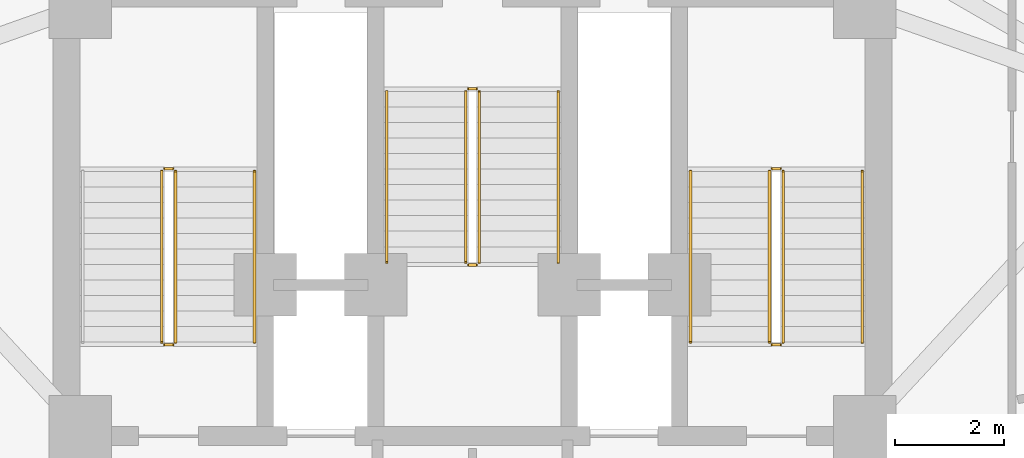
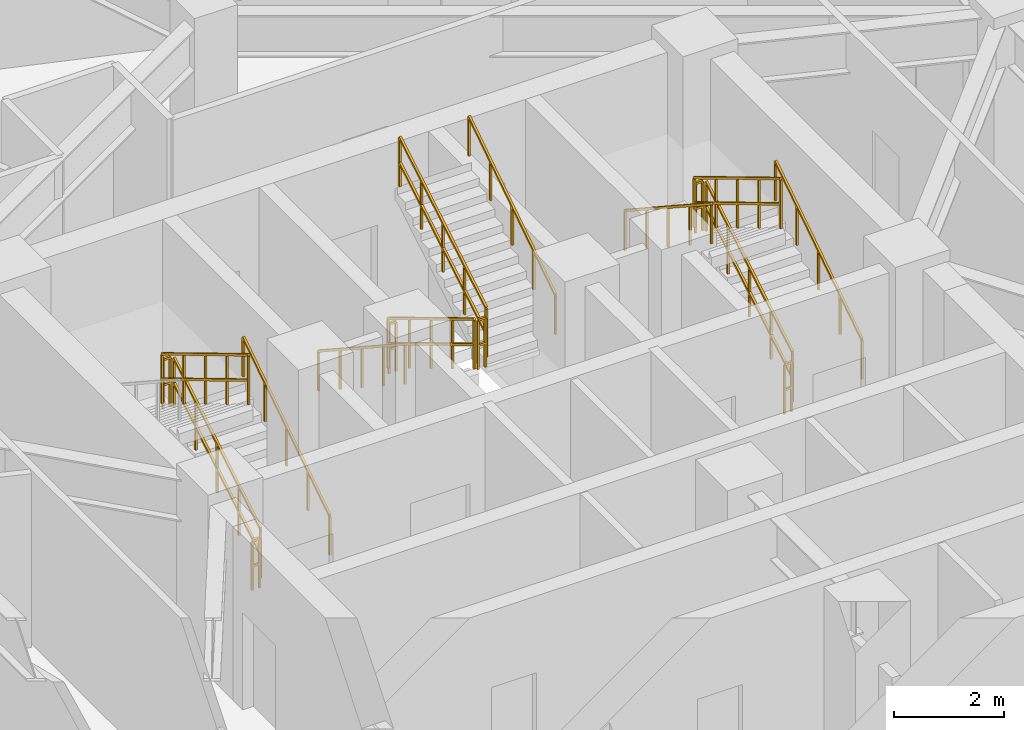
# One storey, part 11 of 12: 17 railings.
"""IFC4 building model written with IfcOpenShell, lengths in metres."""

import ifcopenshell
import ifcopenshell.guid

model = None  # the IFC model being written
_history = None  # IfcOwnerHistory: only IFC2X3 demands one
_inside = {}  # id of a spatial element -> (the spatial element, [elements in it])
_under = {}  # id of a project, library or spatial element -> (it, [spatial elements below it])
_declared = {}  # id of a project -> (the project, [libraries it declares])
_typed = {}  # id of a type object -> (the type object, [elements of that type])
_made_of = {}  # id of a material, layer set ... -> (it, [elements and type objects made of it])


def new_model(schema):
    """Start an empty IFC model of exactly this schema.

    Asked for "IFC4X3", IfcOpenShell would pick the latest addendum, in which some entities
    have other attributes; the version numbers below select the first issue.
    IFC2X3 requires an IfcOwnerHistory on every rooted entity: one is made here for all.
    """
    global model, _history
    if schema == "IFC4X3":
        model = ifcopenshell.file(schema_version=(4, 3, 0, 0))
    else:
        model = ifcopenshell.file(schema=schema)
    _inside.clear()
    _under.clear()
    _declared.clear()
    _typed.clear()
    _made_of.clear()
    _history = None
    if model.schema == "IFC2X3":
        org = make("IfcOrganization", Name="unknown")
        user = make(
            "IfcPersonAndOrganization",
            ThePerson=make("IfcPerson", FamilyName="unknown"),
            TheOrganization=org,
        )
        app = make(
            "IfcApplication",
            ApplicationDeveloper=org,
            Version="unknown",
            ApplicationFullName="unknown",
            ApplicationIdentifier="unknown",
        )
        _history = make(
            "IfcOwnerHistory",
            OwningUser=user,
            OwningApplication=app,
            ChangeAction="ADDED",
            CreationDate=0,
        )
    return model


def make(cls, **values):
    """One entity of the class cls with the attributes given. An attribute that is None is left unset."""
    return model.create_entity(
        cls, **{name: value for name, value in values.items() if value is not None}
    )


def rooted(cls, **values):
    """An entity with a GlobalId (a new one), such as an element, a storey or a relation."""
    return make(cls, GlobalId=ifcopenshell.guid.new(), OwnerHistory=_history, **values)


def si_unit(unit_type, name, prefix=None):
    """IfcSIUnit, for example si_unit("LENGTHUNIT", "METRE", prefix="MILLI")."""
    return make("IfcSIUnit", UnitType=unit_type, Prefix=prefix, Name=name)


def assignment(units):
    """IfcUnitAssignment: the units of a project."""
    return None if units is None else make("IfcUnitAssignment", Units=units)


def point(xyz):
    """IfcCartesianPoint."""
    return None if xyz is None else make("IfcCartesianPoint", Coordinates=xyz)


def direction(xyz):
    """IfcDirection."""
    return None if xyz is None else make("IfcDirection", DirectionRatios=xyz)


def frame(location, z_axis=None, x_axis=None):
    """IfcAxis2Placement3D, a coordinate frame: its origin and axes. An axis left out is left unset."""
    return make(
        "IfcAxis2Placement3D",
        Location=point(location),
        Axis=direction(z_axis),
        RefDirection=direction(x_axis),
    )


def frame_2d(location, x_axis=None):
    """IfcAxis2Placement2D, a coordinate frame in the plane: its origin and x axis."""
    return make(
        "IfcAxis2Placement2D", Location=point(location), RefDirection=direction(x_axis)
    )


def origin():
    """The frame at (0, 0, 0) with its axes left unset."""
    return frame((0.0, 0.0, 0.0))


def origin_2d():
    """The frame at (0, 0) in the plane with its x axis left unset."""
    return frame_2d((0.0, 0.0))


def place(relative_to, where):
    """IfcLocalPlacement: puts the frame where relative to a parent placement (None: the world)."""
    return make(
        "IfcLocalPlacement", PlacementRelTo=relative_to, RelativePlacement=where
    )


def context(
    kind, dimensions, precision=None, world=None, true_north=None, identifier=None
):
    """IfcGeometricRepresentationContext, for example the 3D "Model" context."""
    return make(
        "IfcGeometricRepresentationContext",
        ContextIdentifier=identifier,
        ContextType=kind,
        CoordinateSpaceDimension=dimensions,
        Precision=precision,
        WorldCoordinateSystem=world,
        TrueNorth=true_north,
    )


def subcontext(parent, identifier, kind, view, scale=None):
    """IfcGeometricRepresentationSubContext, for example "Body" below "Model"."""
    return make(
        "IfcGeometricRepresentationSubContext",
        ContextIdentifier=identifier,
        ContextType=kind,
        ParentContext=parent,
        TargetScale=scale,
        TargetView=view,
    )


def project(units=None, contexts=None):
    """IfcProject with its units and contexts."""
    return rooted(
        "IfcProject",
        Name="project",
        RepresentationContexts=contexts,
        UnitsInContext=assignment(units),
    )


def spatial(cls, under=None, at=None, **own):
    """A site, building, storey or space (cls), placed at a placement, below another one or the project."""
    s = rooted(cls, ObjectPlacement=at, **own)
    if under is not None:
        _under.setdefault(under.id(), (under, []))[1].append(s)
    return s


def profile(cls, at=None, kind="AREA", **sizes):
    """A parametric profile (cls). Its sizes go by their IFC names, for example OverallWidth=200.0."""
    return make(cls, ProfileType=kind, Position=at, **sizes)


def rectangle(**sizes):
    """IfcRectangleProfileDef."""
    return profile("IfcRectangleProfileDef", **sizes)


def extrude(swept, where, along, depth):
    """IfcExtrudedAreaSolid: the profile swept, set in the frame where, extruded along a direction by depth."""
    return make(
        "IfcExtrudedAreaSolid",
        SweptArea=swept,
        Position=where,
        ExtrudedDirection=direction(along),
        Depth=depth,
    )


def shape(context_of_items, identifier, shape_type, items):
    """IfcShapeRepresentation: the items that make up one representation, for example the "Body"."""
    return make(
        "IfcShapeRepresentation",
        ContextOfItems=context_of_items,
        RepresentationIdentifier=identifier,
        RepresentationType=shape_type,
        Items=items,
    )


def material(Name=None, Category=None):
    """IfcMaterial."""
    return make("IfcMaterial", Name=Name, Category=Category)


def made_of(thing, what):
    """Note that an element or type object is made of a material, layer set ...; save() writes the relation."""
    if what is not None:
        _made_of.setdefault(what.id(), (what, []))[1].append(thing)
    return thing


def type_object(cls, material=None, **own):
    """A type object (cls), such as IfcWallType, which elements share."""
    return made_of(rooted(cls, **own), material)


def element(
    cls,
    number,
    at=None,
    inside=None,
    cuts=None,
    type_object=None,
    material=None,
    context=None,
    identifier="Body",
    shape_type=None,
    held_by="IfcProductDefinitionShape",
    body=None,
    shapes=None,
    **own,
):
    """One element of the class cls, such as IfcWall. Its Tag is "e" and its number.

    at: its placement. inside: the storey or other place that contains it. cuts: it is an
    opening in that element (IfcRelVoidsElement). A single representation is given by context,
    identifier, shape_type and body (its items); several are given by shapes. held_by: the class
    of the entity that holds the representations. save() writes the other relations.
    """
    e = rooted(cls, Tag="e%d" % number, ObjectPlacement=at, **own)
    if body is not None:
        shapes = [shape(context, identifier, shape_type, body)]
    if shapes is not None:
        e.Representation = make(held_by, Representations=shapes)
    if inside is not None:
        _inside.setdefault(inside.id(), (inside, []))[1].append(e)
    if cuts is not None:
        rooted(
            "IfcRelVoidsElement", RelatingBuildingElement=cuts, RelatedOpeningElement=e
        )
    if type_object is not None:
        _typed.setdefault(type_object.id(), (type_object, []))[1].append(e)
    return made_of(e, material)


def aggregate(whole, parts):
    """IfcRelAggregates: a whole, such as a stair, and the parts it consists of."""
    return rooted("IfcRelAggregates", RelatingObject=whole, RelatedObjects=parts)


def save(model, path):
    """Write the relations noted so far, then the file.

    IfcRelAggregates (storeys below a building ...), IfcRelContainedInSpatialStructure (elements
    in a storey), IfcRelDefinesByType, IfcRelAssociatesMaterial and IfcRelDeclares: one each for
    every whole, place, type object, material and project.
    """
    for whole, parts in _under.values():
        aggregate(whole, parts)
    for where, things in _inside.values():
        rooted(
            "IfcRelContainedInSpatialStructure",
            RelatedElements=things,
            RelatingStructure=where,
        )
    for kind, things in _typed.values():
        rooted("IfcRelDefinesByType", RelatedObjects=things, RelatingType=kind)
    for what, things in _made_of.values():
        rooted("IfcRelAssociatesMaterial", RelatedObjects=things, RelatingMaterial=what)
    for by, libraries in _declared.values():
        rooted("IfcRelDeclares", RelatingContext=by, RelatedDefinitions=libraries)
    model.write(path)


model = new_model("IFC4")

# Units and contexts
model_context = context("Model", 3, precision=1e-05, world=origin(), true_north=direction((0.0, 1.0)))
body_context = subcontext(model_context, "Body", "Model", "MODEL_VIEW")
ifc_project = project(units=[si_unit("LENGTHUNIT", "METRE"), si_unit("AREAUNIT", "SQUARE_METRE"), si_unit("VOLUMEUNIT", "CUBIC_METRE"), si_unit("PLANEANGLEUNIT", "RADIAN"), si_unit("MASSUNIT", "GRAM", prefix="KILO")], contexts=[model_context])

# Site, building, storey
site_placement = place(None, origin())
site = spatial("IfcSite", under=ifc_project, at=site_placement, CompositionType="ELEMENT")
building_placement = place(site_placement, origin())
building = spatial("IfcBuilding", under=site, at=building_placement, Name="Apsidion Concourse Tower", CompositionType="ELEMENT")
storey_placement = place(building_placement, frame((0.0, 0.0, 240.39990234375)))
storey = spatial("IfcBuildingStorey", under=building, at=storey_placement, Name="L56", CompositionType="ELEMENT", Elevation=240.39990234375)

# Railings
ifc_material = material(Name="Brushed stainless steel 316", Category="steel")
railing_type_1 = type_object("IfcRailingType", Name="RL-GUARD-1100", PredefinedType="GUARDRAIL", material=ifc_material)
railing_1_placement = place(storey_placement, frame((-5.449951171875, 3.0, 0.1708984375)))
element("IfcRailing", 1, at=railing_1_placement, inside=storey, type_object=railing_type_1, Name="L56 ST1 stair guard 1", PredefinedType="GUARDRAIL", context=body_context, shape_type="SweptSolid", body=[
    extrude(rectangle(XDim=0.048095703125, YDim=0.048095703125, at=origin_2d()), frame((0.0, 0.0, 1.09619140625), z_axis=(0.0, 0.857716804754, 0.514122439544), x_axis=(-1.0, 0.0, 0.0)), (0.0, 0.0, 1.0), 3.655029296875),
    extrude(rectangle(XDim=0.048095703125, YDim=0.048095703125, at=origin_2d()), frame((0.0, 0.0, 0.5361328125), z_axis=(0.0, 0.857716804754, 0.514122439544), x_axis=(-1.0, 0.0, 0.0)), (0.0, 0.0, 1.0), 3.655029296875),
    extrude(rectangle(XDim=0.0419921875, YDim=0.0419921875, at=origin_2d()), origin(), (0.0, 0.0, 1.0), 1.072021484375),
    extrude(rectangle(XDim=0.0419921875, YDim=0.0419921875, at=origin_2d()), frame((0.0, 0.78369140625, 0.4697265625)), (0.0, 0.0, 1.0), 1.072021484375),
    extrude(rectangle(XDim=0.0419921875, YDim=0.0419921875, at=origin_2d()), frame((0.0, 1.5673828125, 0.939453125)), (0.0, 0.0, 1.0), 1.072021484375),
    extrude(rectangle(XDim=0.0419921875, YDim=0.0419921875, at=origin_2d()), frame((0.0, 2.351318359375, 1.409423828125)), (0.0, 0.0, 1.0), 1.072021484375),
    extrude(rectangle(XDim=0.0419921875, YDim=0.0419921875, at=origin_2d()), frame((0.0, 3.135009765625, 1.879150390625)), (0.0, 0.0, 1.0), 1.072021484375),
])
railing_2_placement = place(storey_placement, frame((-5.5, 6.18505859375, 2.050048828125)))
element("IfcRailing", 2, at=railing_2_placement, inside=storey, type_object=railing_type_1, Name="L56 ST1 stair guard 2", PredefinedType="GUARDRAIL", context=body_context, shape_type="SweptSolid", body=[
    extrude(rectangle(XDim=0.048095703125, YDim=0.048095703125, at=origin_2d()), frame((0.0, 0.0, 1.09619140625), z_axis=(-1.0, 0.0, 0.0), x_axis=(0.0, -1.0, 0.0)), (0.0, 0.0, 1.0), 0.14990234375),
    extrude(rectangle(XDim=0.048095703125, YDim=0.048095703125, at=origin_2d()), frame((0.0, 0.0, 0.5361328125), z_axis=(-1.0, 0.0, 0.0), x_axis=(0.0, -1.0, 0.0)), (0.0, 0.0, 1.0), 0.14990234375),
    extrude(rectangle(XDim=0.0419921875, YDim=0.0419921875, at=origin_2d()), origin(), (0.0, 0.0, 1.0), 1.072021484375),
    extrude(rectangle(XDim=0.0419921875, YDim=0.0419921875, at=origin_2d()), frame((-0.14990234375, 0.0, 0.0)), (0.0, 0.0, 1.0), 1.072021484375),
])
railing_3_placement = place(storey_placement, frame((-5.699951171875, 6.135009765625, 2.220947265625)))
element("IfcRailing", 3, at=railing_3_placement, inside=storey, type_object=railing_type_1, Name="L56 ST1 stair guard 3", PredefinedType="GUARDRAIL", context=body_context, shape_type="SweptSolid", body=[
    extrude(rectangle(XDim=0.048095703125, YDim=0.048095703125, at=origin_2d()), frame((0.0, 0.0, 1.09619140625), z_axis=(0.0, -0.857716804754, 0.514122439544), x_axis=(1.0, 0.0, 0.0)), (0.0, 0.0, 1.0), 3.655029296875),
    extrude(rectangle(XDim=0.048095703125, YDim=0.048095703125, at=origin_2d()), frame((0.0, 0.0, 0.5361328125), z_axis=(0.0, -0.857716804754, 0.514122439544), x_axis=(1.0, 0.0, 0.0)), (0.0, 0.0, 1.0), 3.655029296875),
    extrude(rectangle(XDim=0.0419921875, YDim=0.0419921875, at=origin_2d()), origin(), (0.0, 0.0, 1.0), 1.072021484375),
    extrude(rectangle(XDim=0.0419921875, YDim=0.0419921875, at=origin_2d()), frame((0.0, -0.78369140625, 0.4697265625)), (0.0, 0.0, 1.0), 1.072021484375),
    extrude(rectangle(XDim=0.0419921875, YDim=0.0419921875, at=origin_2d()), frame((0.0, -1.5673828125, 0.939453125)), (0.0, 0.0, 1.0), 1.072021484375),
    extrude(rectangle(XDim=0.0419921875, YDim=0.0419921875, at=origin_2d()), frame((0.0, -2.351318359375, 1.409423828125)), (0.0, 0.0, 1.0), 1.072021484375),
    extrude(rectangle(XDim=0.0419921875, YDim=0.0419921875, at=origin_2d()), frame((0.0, -3.135009765625, 1.879150390625)), (0.0, 0.0, 1.0), 1.072021484375),
])
railing_4_placement = place(storey_placement, frame((-5.5, 2.949951171875, 0.0)))
element("IfcRailing", 4, at=railing_4_placement, inside=storey, type_object=railing_type_1, Name="L56 ST1 stair guard 4", PredefinedType="GUARDRAIL", context=body_context, shape_type="SweptSolid", body=[
    extrude(rectangle(XDim=0.048095703125, YDim=0.048095703125, at=origin_2d()), frame((0.0, 0.0, 1.09619140625), z_axis=(-1.0, 0.0, 0.0), x_axis=(0.0, -1.0, 0.0)), (0.0, 0.0, 1.0), 0.14990234375),
    extrude(rectangle(XDim=0.048095703125, YDim=0.048095703125, at=origin_2d()), frame((0.0, 0.0, 0.5361328125), z_axis=(-1.0, 0.0, 0.0), x_axis=(0.0, -1.0, 0.0)), (0.0, 0.0, 1.0), 0.14990234375),
    extrude(rectangle(XDim=0.0419921875, YDim=0.0419921875, at=origin_2d()), origin(), (0.0, 0.0, 1.0), 1.072021484375),
    extrude(rectangle(XDim=0.0419921875, YDim=0.0419921875, at=origin_2d()), frame((-0.14990234375, 0.0, 0.0)), (0.0, 0.0, 1.0), 1.072021484375),
])
railing_5_placement = place(storey_placement, frame((5.699951171875, 3.0, 0.1708984375)))
element("IfcRailing", 5, at=railing_5_placement, inside=storey, type_object=railing_type_1, Name="L56 ST2 stair guard 1", PredefinedType="GUARDRAIL", context=body_context, shape_type="SweptSolid", body=[
    extrude(rectangle(XDim=0.048095703125, YDim=0.048095703125, at=origin_2d()), frame((0.0, 0.0, 1.09619140625), z_axis=(0.0, 0.857716804754, 0.514122439544), x_axis=(-1.0, 0.0, 0.0)), (0.0, 0.0, 1.0), 3.655029296875),
    extrude(rectangle(XDim=0.048095703125, YDim=0.048095703125, at=origin_2d()), frame((0.0, 0.0, 0.5361328125), z_axis=(0.0, 0.857716804754, 0.514122439544), x_axis=(-1.0, 0.0, 0.0)), (0.0, 0.0, 1.0), 3.655029296875),
    extrude(rectangle(XDim=0.0419921875, YDim=0.0419921875, at=origin_2d()), origin(), (0.0, 0.0, 1.0), 1.072021484375),
    extrude(rectangle(XDim=0.0419921875, YDim=0.0419921875, at=origin_2d()), frame((0.0, 0.78369140625, 0.4697265625)), (0.0, 0.0, 1.0), 1.072021484375),
    extrude(rectangle(XDim=0.0419921875, YDim=0.0419921875, at=origin_2d()), frame((0.0, 1.5673828125, 0.939453125)), (0.0, 0.0, 1.0), 1.072021484375),
    extrude(rectangle(XDim=0.0419921875, YDim=0.0419921875, at=origin_2d()), frame((0.0, 2.351318359375, 1.409423828125)), (0.0, 0.0, 1.0), 1.072021484375),
    extrude(rectangle(XDim=0.0419921875, YDim=0.0419921875, at=origin_2d()), frame((0.0, 3.135009765625, 1.879150390625)), (0.0, 0.0, 1.0), 1.072021484375),
])
railing_6_placement = place(storey_placement, frame((5.64990234375, 6.18505859375, 2.050048828125)))
element("IfcRailing", 6, at=railing_6_placement, inside=storey, type_object=railing_type_1, Name="L56 ST2 stair guard 2", PredefinedType="GUARDRAIL", context=body_context, shape_type="SweptSolid", body=[
    extrude(rectangle(XDim=0.048095703125, YDim=0.048095703125, at=origin_2d()), frame((0.0, 0.0, 1.09619140625), z_axis=(-1.0, 0.0, 0.0), x_axis=(0.0, -1.0, 0.0)), (0.0, 0.0, 1.0), 0.14990234375),
    extrude(rectangle(XDim=0.048095703125, YDim=0.048095703125, at=origin_2d()), frame((0.0, 0.0, 0.5361328125), z_axis=(-1.0, 0.0, 0.0), x_axis=(0.0, -1.0, 0.0)), (0.0, 0.0, 1.0), 0.14990234375),
    extrude(rectangle(XDim=0.0419921875, YDim=0.0419921875, at=origin_2d()), origin(), (0.0, 0.0, 1.0), 1.072021484375),
    extrude(rectangle(XDim=0.0419921875, YDim=0.0419921875, at=origin_2d()), frame((-0.14990234375, 0.0, 0.0)), (0.0, 0.0, 1.0), 1.072021484375),
])
railing_7_placement = place(storey_placement, frame((5.449951171875, 6.135009765625, 2.220947265625)))
element("IfcRailing", 7, at=railing_7_placement, inside=storey, type_object=railing_type_1, Name="L56 ST2 stair guard 3", PredefinedType="GUARDRAIL", context=body_context, shape_type="SweptSolid", body=[
    extrude(rectangle(XDim=0.048095703125, YDim=0.048095703125, at=origin_2d()), frame((0.0, 0.0, 1.09619140625), z_axis=(0.0, -0.857716804754, 0.514122439544), x_axis=(1.0, 0.0, 0.0)), (0.0, 0.0, 1.0), 3.655029296875),
    extrude(rectangle(XDim=0.048095703125, YDim=0.048095703125, at=origin_2d()), frame((0.0, 0.0, 0.5361328125), z_axis=(0.0, -0.857716804754, 0.514122439544), x_axis=(1.0, 0.0, 0.0)), (0.0, 0.0, 1.0), 3.655029296875),
    extrude(rectangle(XDim=0.0419921875, YDim=0.0419921875, at=origin_2d()), origin(), (0.0, 0.0, 1.0), 1.072021484375),
    extrude(rectangle(XDim=0.0419921875, YDim=0.0419921875, at=origin_2d()), frame((0.0, -0.78369140625, 0.4697265625)), (0.0, 0.0, 1.0), 1.072021484375),
    extrude(rectangle(XDim=0.0419921875, YDim=0.0419921875, at=origin_2d()), frame((0.0, -1.5673828125, 0.939453125)), (0.0, 0.0, 1.0), 1.072021484375),
    extrude(rectangle(XDim=0.0419921875, YDim=0.0419921875, at=origin_2d()), frame((0.0, -2.351318359375, 1.409423828125)), (0.0, 0.0, 1.0), 1.072021484375),
    extrude(rectangle(XDim=0.0419921875, YDim=0.0419921875, at=origin_2d()), frame((0.0, -3.135009765625, 1.879150390625)), (0.0, 0.0, 1.0), 1.072021484375),
])
railing_8_placement = place(storey_placement, frame((5.64990234375, 2.949951171875, 0.0)))
element("IfcRailing", 8, at=railing_8_placement, inside=storey, type_object=railing_type_1, Name="L56 ST2 stair guard 4", PredefinedType="GUARDRAIL", context=body_context, shape_type="SweptSolid", body=[
    extrude(rectangle(XDim=0.048095703125, YDim=0.048095703125, at=origin_2d()), frame((0.0, 0.0, 1.09619140625), z_axis=(-1.0, 0.0, 0.0), x_axis=(0.0, -1.0, 0.0)), (0.0, 0.0, 1.0), 0.14990234375),
    extrude(rectangle(XDim=0.048095703125, YDim=0.048095703125, at=origin_2d()), frame((0.0, 0.0, 0.5361328125), z_axis=(-1.0, 0.0, 0.0), x_axis=(0.0, -1.0, 0.0)), (0.0, 0.0, 1.0), 0.14990234375),
    extrude(rectangle(XDim=0.0419921875, YDim=0.0419921875, at=origin_2d()), origin(), (0.0, 0.0, 1.0), 1.072021484375),
    extrude(rectangle(XDim=0.0419921875, YDim=0.0419921875, at=origin_2d()), frame((-0.14990234375, 0.0, 0.0)), (0.0, 0.0, 1.0), 1.072021484375),
])
railing_9_placement = place(storey_placement, frame((-0.125, 7.60009765625, 0.1708984375)))
element("IfcRailing", 9, at=railing_9_placement, inside=storey, type_object=railing_type_1, Name="L56 ST3 stair guard 1", PredefinedType="GUARDRAIL", context=body_context, shape_type="SweptSolid", body=[
    extrude(rectangle(XDim=0.048095703125, YDim=0.048095703125, at=origin_2d()), frame((0.0, 0.0, 1.09619140625), z_axis=(0.0, -0.857716804754, 0.514122439544), x_axis=(1.0, 0.0, 0.0)), (0.0, 0.0, 1.0), 3.655029296875),
    extrude(rectangle(XDim=0.048095703125, YDim=0.048095703125, at=origin_2d()), frame((0.0, 0.0, 0.5361328125), z_axis=(0.0, -0.857716804754, 0.514122439544), x_axis=(1.0, 0.0, 0.0)), (0.0, 0.0, 1.0), 3.655029296875),
    extrude(rectangle(XDim=0.0419921875, YDim=0.0419921875, at=origin_2d()), origin(), (0.0, 0.0, 1.0), 1.072021484375),
    extrude(rectangle(XDim=0.0419921875, YDim=0.0419921875, at=origin_2d()), frame((0.0, -0.78369140625, 0.4697265625)), (0.0, 0.0, 1.0), 1.072021484375),
    extrude(rectangle(XDim=0.0419921875, YDim=0.0419921875, at=origin_2d()), frame((0.0, -1.5673828125, 0.939453125)), (0.0, 0.0, 1.0), 1.072021484375),
    extrude(rectangle(XDim=0.0419921875, YDim=0.0419921875, at=origin_2d()), frame((0.0, -2.351318359375, 1.409423828125)), (0.0, 0.0, 1.0), 1.072021484375),
    extrude(rectangle(XDim=0.0419921875, YDim=0.0419921875, at=origin_2d()), frame((0.0, -3.135009765625, 1.879150390625)), (0.0, 0.0, 1.0), 1.072021484375),
])
railing_10_placement = place(storey_placement, frame((-0.074951171875, 4.4150390625, 2.050048828125)))
element("IfcRailing", 10, at=railing_10_placement, inside=storey, type_object=railing_type_1, Name="L56 ST3 stair guard 2", PredefinedType="GUARDRAIL", context=body_context, shape_type="SweptSolid", body=[
    extrude(rectangle(XDim=0.048095703125, YDim=0.048095703125, at=origin_2d()), frame((0.0, 0.0, 1.09619140625), z_axis=(1.0, 0.0, 0.0), x_axis=(0.0, 1.0, 0.0)), (0.0, 0.0, 1.0), 0.14990234375),
    extrude(rectangle(XDim=0.048095703125, YDim=0.048095703125, at=origin_2d()), frame((0.0, 0.0, 0.5361328125), z_axis=(1.0, 0.0, 0.0), x_axis=(0.0, 1.0, 0.0)), (0.0, 0.0, 1.0), 0.14990234375),
    extrude(rectangle(XDim=0.0419921875, YDim=0.0419921875, at=origin_2d()), origin(), (0.0, 0.0, 1.0), 1.072021484375),
    extrude(rectangle(XDim=0.0419921875, YDim=0.0419921875, at=origin_2d()), frame((0.14990234375, 0.0, 0.0)), (0.0, 0.0, 1.0), 1.072021484375),
])
railing_11_placement = place(storey_placement, frame((0.125, 4.465087890625, 2.220947265625)))
element("IfcRailing", 11, at=railing_11_placement, inside=storey, type_object=railing_type_1, Name="L56 ST3 stair guard 3", PredefinedType="GUARDRAIL", context=body_context, shape_type="SweptSolid", body=[
    extrude(rectangle(XDim=0.048095703125, YDim=0.048095703125, at=origin_2d()), frame((0.0, 0.0, 1.09619140625), z_axis=(0.0, 0.857716804754, 0.514122439544), x_axis=(-1.0, 0.0, 0.0)), (0.0, 0.0, 1.0), 3.655029296875),
    extrude(rectangle(XDim=0.048095703125, YDim=0.048095703125, at=origin_2d()), frame((0.0, 0.0, 0.5361328125), z_axis=(0.0, 0.857716804754, 0.514122439544), x_axis=(-1.0, 0.0, 0.0)), (0.0, 0.0, 1.0), 3.655029296875),
    extrude(rectangle(XDim=0.0419921875, YDim=0.0419921875, at=origin_2d()), origin(), (0.0, 0.0, 1.0), 1.072021484375),
    extrude(rectangle(XDim=0.0419921875, YDim=0.0419921875, at=origin_2d()), frame((0.0, 0.78369140625, 0.4697265625)), (0.0, 0.0, 1.0), 1.072021484375),
    extrude(rectangle(XDim=0.0419921875, YDim=0.0419921875, at=origin_2d()), frame((0.0, 1.5673828125, 0.939453125)), (0.0, 0.0, 1.0), 1.072021484375),
    extrude(rectangle(XDim=0.0419921875, YDim=0.0419921875, at=origin_2d()), frame((0.0, 2.351318359375, 1.409423828125)), (0.0, 0.0, 1.0), 1.072021484375),
    extrude(rectangle(XDim=0.0419921875, YDim=0.0419921875, at=origin_2d()), frame((0.0, 3.135009765625, 1.879150390625)), (0.0, 0.0, 1.0), 1.072021484375),
])
railing_12_placement = place(storey_placement, frame((-0.074951171875, 7.64990234375, 0.0)))
element("IfcRailing", 12, at=railing_12_placement, inside=storey, type_object=railing_type_1, Name="L56 ST3 stair guard 4", PredefinedType="GUARDRAIL", context=body_context, shape_type="SweptSolid", body=[
    extrude(rectangle(XDim=0.048095703125, YDim=0.048095703125, at=origin_2d()), frame((0.0, 0.0, 1.09619140625), z_axis=(1.0, 0.0, 0.0), x_axis=(0.0, 1.0, 0.0)), (0.0, 0.0, 1.0), 0.14990234375),
    extrude(rectangle(XDim=0.048095703125, YDim=0.048095703125, at=origin_2d()), frame((0.0, 0.0, 0.5361328125), z_axis=(1.0, 0.0, 0.0), x_axis=(0.0, 1.0, 0.0)), (0.0, 0.0, 1.0), 0.14990234375),
    extrude(rectangle(XDim=0.0419921875, YDim=0.0419921875, at=origin_2d()), origin(), (0.0, 0.0, 1.0), 1.072021484375),
    extrude(rectangle(XDim=0.0419921875, YDim=0.0419921875, at=origin_2d()), frame((0.14990234375, 0.0, 0.0)), (0.0, 0.0, 1.0), 1.072021484375),
])
railing_type_2 = type_object("IfcRailingType", Name="RL-HAND-900", PredefinedType="HANDRAIL", material=ifc_material)
for number, where, name in (
    (13, (-4.0, 3.0, 0.1708984375), "L56 ST1 stair handrail 1"),
    (14, (7.14990234375, 3.0, 0.1708984375), "L56 ST2 stair handrail 1"),
):
    element("IfcRailing", number, at=place(storey_placement, frame(where)), inside=storey, type_object=railing_type_2, Name=name, PredefinedType="HANDRAIL", context=body_context, shape_type="SweptSolid", body=[
        extrude(rectangle(XDim=0.048095703125, YDim=0.048095703125, at=origin_2d()), frame((0.0, 0.0, 0.8759765625), z_axis=(0.0, 0.836940907821, 0.547293263996), x_axis=(-1.0, 0.0, 0.0)), (0.0, 0.0, 1.0), 3.745849609375),
        extrude(rectangle(XDim=0.0419921875, YDim=0.0419921875, at=origin_2d()), origin(), (0.0, 0.0, 1.0), 0.851806640625),
        extrude(rectangle(XDim=0.0419921875, YDim=0.0419921875, at=origin_2d()), frame((0.0, 0.78369140625, 0.512451171875)), (0.0, 0.0, 1.0), 0.851806640625),
        extrude(rectangle(XDim=0.0419921875, YDim=0.0419921875, at=origin_2d()), frame((0.0, 1.5673828125, 1.02490234375)), (0.0, 0.0, 1.0), 0.851806640625),
        extrude(rectangle(XDim=0.0419921875, YDim=0.0419921875, at=origin_2d()), frame((0.0, 2.351318359375, 1.53759765625)), (0.0, 0.0, 1.0), 0.851806640625),
        extrude(rectangle(XDim=0.0419921875, YDim=0.0419921875, at=origin_2d()), frame((0.0, 3.135009765625, 2.050048828125)), (0.0, 0.0, 1.0), 0.851806640625),
    ])
for number, where, name in (
    (15, (4.0, 6.135009765625, 2.220947265625), "L56 ST2 stair handrail 2"),
    (16, (-1.574951171875, 7.60009765625, 0.1708984375), "L56 ST3 stair handrail 1"),
):
    element("IfcRailing", number, at=place(storey_placement, frame(where)), inside=storey, type_object=railing_type_2, Name=name, PredefinedType="HANDRAIL", context=body_context, shape_type="SweptSolid", body=[
        extrude(rectangle(XDim=0.048095703125, YDim=0.048095703125, at=origin_2d()), frame((0.0, 0.0, 0.8759765625), z_axis=(0.0, -0.836940907821, 0.547293263996), x_axis=(1.0, 0.0, 0.0)), (0.0, 0.0, 1.0), 3.745849609375),
        extrude(rectangle(XDim=0.0419921875, YDim=0.0419921875, at=origin_2d()), origin(), (0.0, 0.0, 1.0), 0.851806640625),
        extrude(rectangle(XDim=0.0419921875, YDim=0.0419921875, at=origin_2d()), frame((0.0, -0.78369140625, 0.512451171875)), (0.0, 0.0, 1.0), 0.851806640625),
        extrude(rectangle(XDim=0.0419921875, YDim=0.0419921875, at=origin_2d()), frame((0.0, -1.5673828125, 1.02490234375)), (0.0, 0.0, 1.0), 0.851806640625),
        extrude(rectangle(XDim=0.0419921875, YDim=0.0419921875, at=origin_2d()), frame((0.0, -2.351318359375, 1.53759765625)), (0.0, 0.0, 1.0), 0.851806640625),
        extrude(rectangle(XDim=0.0419921875, YDim=0.0419921875, at=origin_2d()), frame((0.0, -3.135009765625, 2.050048828125)), (0.0, 0.0, 1.0), 0.851806640625),
    ])
railing_13_placement = place(storey_placement, frame((1.574951171875, 4.465087890625, 2.220947265625)))
element("IfcRailing", 17, at=railing_13_placement, inside=storey, type_object=railing_type_2, Name="L56 ST3 stair handrail 2", PredefinedType="HANDRAIL", context=body_context, shape_type="SweptSolid", body=[
    extrude(rectangle(XDim=0.048095703125, YDim=0.048095703125, at=origin_2d()), frame((0.0, 0.0, 0.8759765625), z_axis=(0.0, 0.836940907821, 0.547293263996), x_axis=(-1.0, 0.0, 0.0)), (0.0, 0.0, 1.0), 3.745849609375),
    extrude(rectangle(XDim=0.0419921875, YDim=0.0419921875, at=origin_2d()), origin(), (0.0, 0.0, 1.0), 0.851806640625),
    extrude(rectangle(XDim=0.0419921875, YDim=0.0419921875, at=origin_2d()), frame((0.0, 0.78369140625, 0.512451171875)), (0.0, 0.0, 1.0), 0.851806640625),
    extrude(rectangle(XDim=0.0419921875, YDim=0.0419921875, at=origin_2d()), frame((0.0, 1.5673828125, 1.02490234375)), (0.0, 0.0, 1.0), 0.851806640625),
    extrude(rectangle(XDim=0.0419921875, YDim=0.0419921875, at=origin_2d()), frame((0.0, 2.351318359375, 1.53759765625)), (0.0, 0.0, 1.0), 0.851806640625),
    extrude(rectangle(XDim=0.0419921875, YDim=0.0419921875, at=origin_2d()), frame((0.0, 3.135009765625, 2.050048828125)), (0.0, 0.0, 1.0), 0.851806640625),
])

save(model, "model.ifc")
